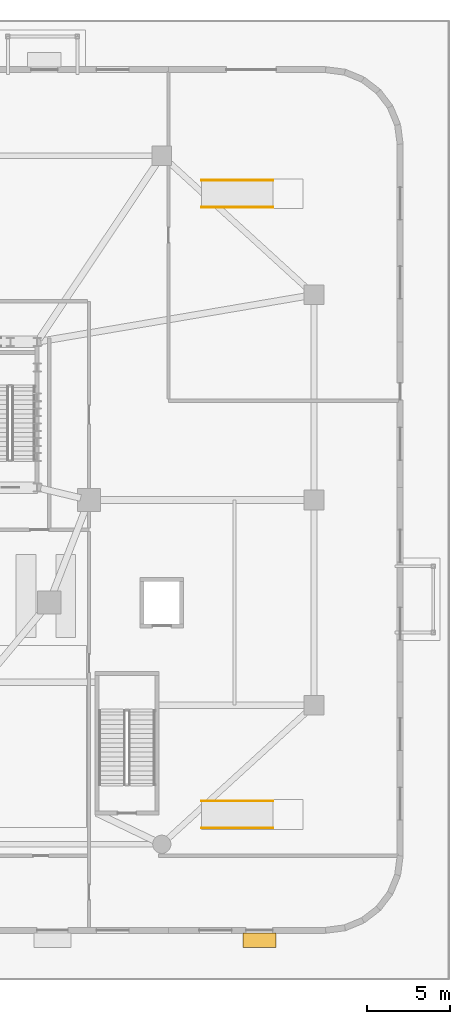
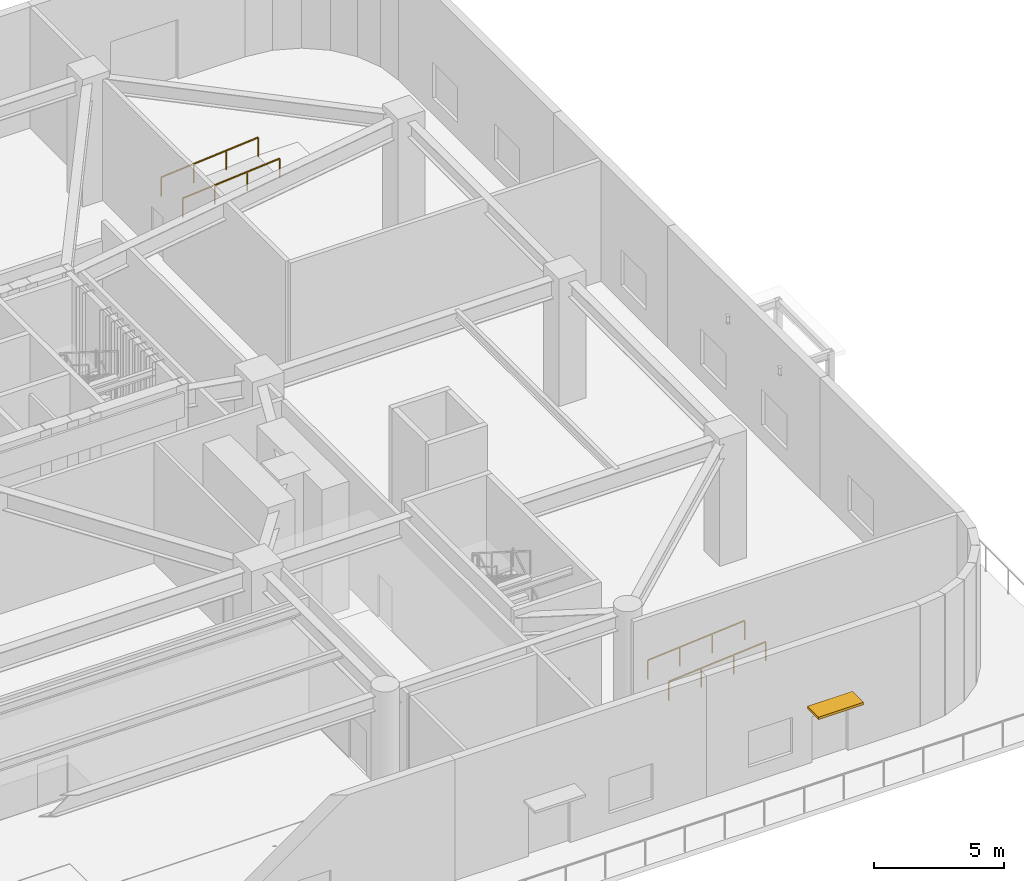
# One storey, part 20 of 21: 4 railings, 1 shading device.
"""IFC4 building model written with IfcOpenShell, lengths in metres."""

from ifc_helpers import new_model, si_unit, direction, frame, origin, origin_2d, place, context, subcontext, project, spatial, rectangle, extrude, material, type_object, element, save


model = new_model("IFC4")

# Units and contexts
model_context = context("Model", 3, precision=1e-05, world=origin(), true_north=direction((0.0, 1.0)))
body_context = subcontext(model_context, "Body", "Model", "MODEL_VIEW")
ifc_project = project(units=[si_unit("LENGTHUNIT", "METRE"), si_unit("AREAUNIT", "SQUARE_METRE"), si_unit("VOLUMEUNIT", "CUBIC_METRE"), si_unit("PLANEANGLEUNIT", "RADIAN"), si_unit("MASSUNIT", "GRAM", prefix="KILO")], contexts=[model_context])

# Site, building, storey
site_placement = place(None, origin())
site = spatial("IfcSite", under=ifc_project, at=site_placement, CompositionType="ELEMENT")
building_placement = place(site_placement, origin())
building = spatial("IfcBuilding", under=site, at=building_placement, Name="Haldorwick Loom Tower", CompositionType="ELEMENT")
storey_placement = place(building_placement, origin())
storey = spatial("IfcBuildingStorey", under=building, at=storey_placement, Name="L00", CompositionType="ELEMENT", Elevation=0.0)

# Railings
ifc_material_1 = material(Name="Steel CSA G40.21 350W", Category="steel")
railing_type = type_object("IfcRailingType", Name="ARC-RLG-HAND092", PredefinedType="HANDRAIL", material=ifc_material_1)
for number, where, name in (
    (1, (60.0, 6.179931640625, 0.0), "RMP-02 Ramp Handrail 1"),
    (2, (60.0, 7.820068359375, 0.0), "RMP-02 Ramp Handrail 2"),
    (3, (60.0, 43.679931640625, 0.0), "RMP-04 Ramp Handrail 1"),
    (4, (60.0, 45.320068359375, 0.0), "RMP-04 Ramp Handrail 2"),
):
    element("IfcRailing", number, at=place(storey_placement, frame(where)), inside=storey, type_object=railing_type, Name=name, PredefinedType="HANDRAIL", context=body_context, shape_type="SweptSolid", body=[
        extrude(rectangle(XDim=0.048095703125, YDim=0.048095703125, at=origin_2d()), frame((0.0, 0.0, 0.89599609375), z_axis=(0.996543815979, 0.0, 0.083068783756), x_axis=(0.0, 1.0, 0.0)), (0.0, 0.0, 1.0), 4.3349609375),
        extrude(rectangle(XDim=0.0419921875, YDim=0.0419921875, at=origin_2d()), origin(), (0.0, 0.0, 1.0), 0.871826171875),
        extrude(rectangle(XDim=0.0419921875, YDim=0.0419921875, at=origin_2d()), frame((1.43994140625, 0.0, 0.1201171875)), (0.0, 0.0, 1.0), 0.871826171875),
        extrude(rectangle(XDim=0.0419921875, YDim=0.0419921875, at=origin_2d()), frame((2.880126953125, 0.0, 0.239990234375)), (0.0, 0.0, 1.0), 0.871826171875),
        extrude(rectangle(XDim=0.0419921875, YDim=0.0419921875, at=origin_2d()), frame((4.320068359375, 0.0, 0.360107421875)), (0.0, 0.0, 1.0), 0.871826171875),
    ])

# Shading device
ifc_material_2 = material(Name="Extruded Anodized Aluminium Weather Louvre", Category="aluminium")
shading_device_type = type_object("IfcShadingDeviceType", Name="ARC-SHD-AWNING2", PredefinedType="AWNING", material=ifc_material_2)
shading_device_placement = place(storey_placement, frame((63.5, -0.60009765625, 2.58984375), z_axis=(0.0, 0.0, 1.0), x_axis=(1.0, 0.0, 0.0)))
element("IfcShadingDevice", 5, at=shading_device_placement, inside=storey, type_object=shading_device_type, Name="L00 Entrance Sunshade Canopy EX-05", PredefinedType="AWNING", context=body_context, shape_type="SweptSolid", body=[
    extrude(rectangle(XDim=2.0, YDim=0.85009765625, at=origin_2d()), origin(), (0.0, 0.0, 1.0), 0.1201171875),
])

save(model, "model.ifc")
